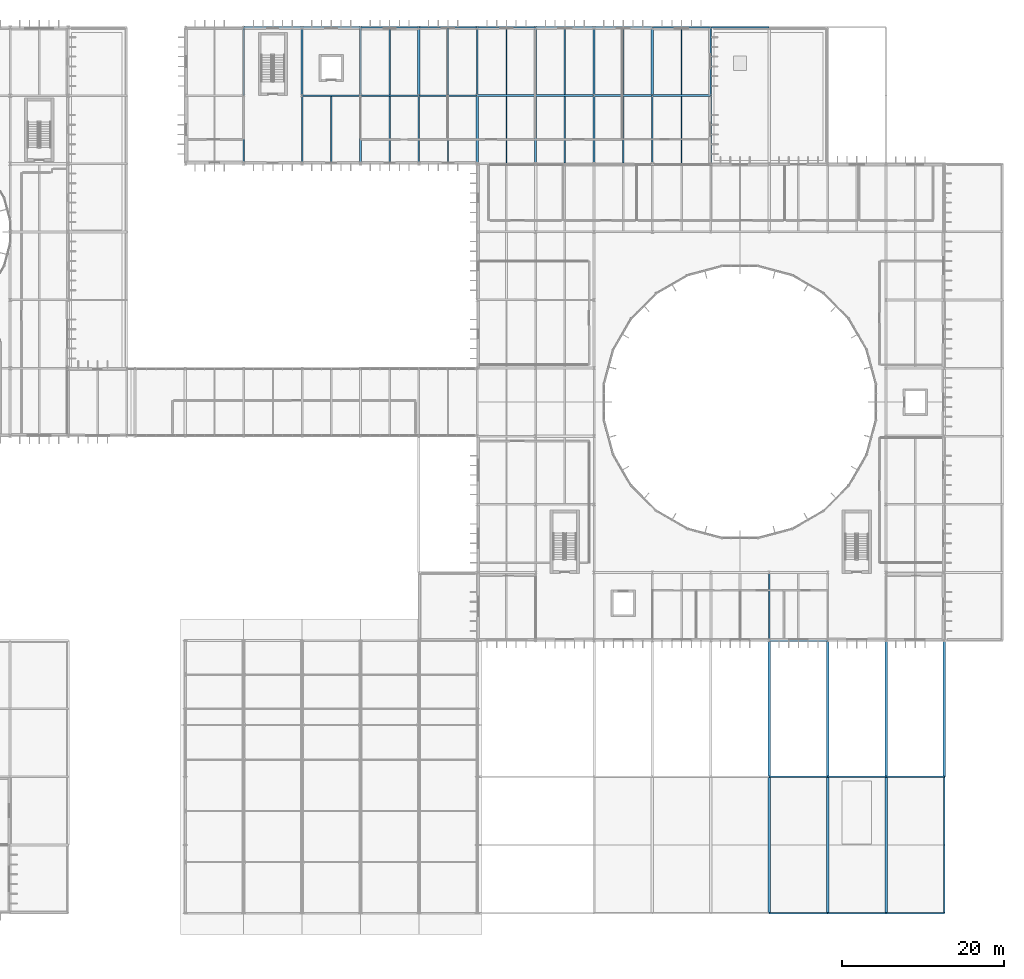
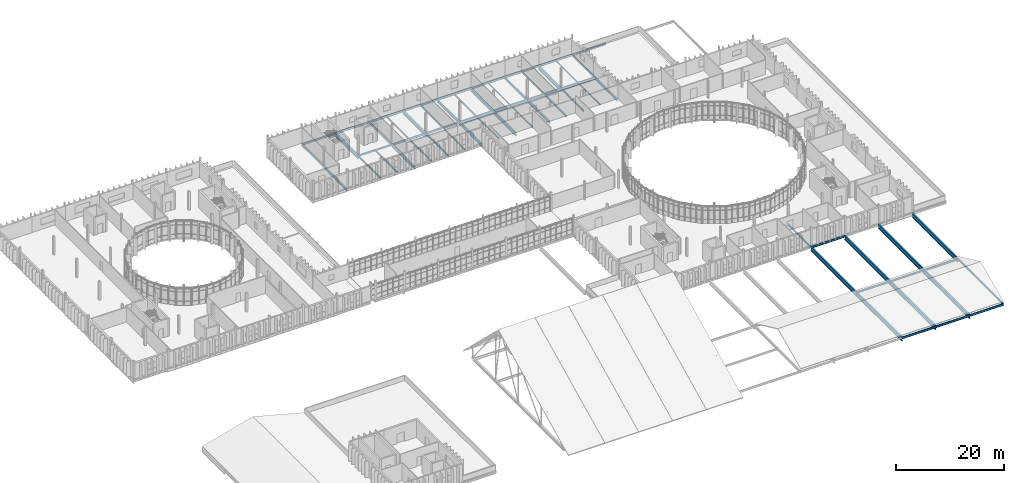
# One storey, part 51 of 99: 64 beams.
"""IFC4 building model written with IfcOpenShell, lengths in metres."""

from ifc_helpers import new_model, si_unit, direction, frame, origin, origin_2d, place, context, subcontext, project, spatial, i_section, extrude, material, material_profile, profile_set, type_object, element, save


model = new_model("IFC4")

# Units and contexts
model_context = context("Model", 3, precision=1e-05, world=origin(), true_north=direction((0.0, 1.0)))
body_context = subcontext(model_context, "Body", "Model", "MODEL_VIEW")
ifc_project = project(units=[si_unit("LENGTHUNIT", "METRE"), si_unit("AREAUNIT", "SQUARE_METRE"), si_unit("VOLUMEUNIT", "CUBIC_METRE"), si_unit("PLANEANGLEUNIT", "RADIAN"), si_unit("MASSUNIT", "GRAM", prefix="KILO")], contexts=[model_context])

# Site, building, storey
site_placement = place(None, origin())
site = spatial("IfcSite", under=ifc_project, at=site_placement, CompositionType="ELEMENT")
building_placement = place(site_placement, origin())
building = spatial("IfcBuilding", under=site, at=building_placement, Name="Qelthora Terrace Specialist Clinic", CompositionType="ELEMENT")
storey_placement = place(building_placement, frame((0.0, 0.0, 9.0)))
storey = spatial("IfcBuildingStorey", under=building, at=storey_placement, Name="L02", CompositionType="ELEMENT", Elevation=9.0)

# Beams
ifc_material = material(Name="Steel S355", Category="steel")
ifc_material_profile_1 = material_profile(ifc_material, i_section(OverallWidth=0.178955078125, OverallDepth=0.409912109375, WebThickness=0.0087890625, FlangeThickness=0.014404296875, FilletRadius=0.011962890625, at=origin_2d()), Name="W410X67")
ifc_profile_set_1 = profile_set([ifc_material_profile_1], Name="Steel S355")
beam_type_1 = type_object("IfcBeamType", Name="BM-W410X67", PredefinedType="BEAM", material=ifc_profile_set_1)
for number, where, z_axis, x_axis, name in (
    (1, (136.800048828125, 16.800048828125, -0.455078125), (1.0, 0.0, 0.0), (0.0, 1.0, 0.0), "Girder BMX-L02-0586"),
    (2, (72.0, 100.800048828125, -0.455078125), (1.0, 0.0, 0.0), (0.0, 1.0, 0.0), "Girder BMX-L02-0712"),
):
    element("IfcBeam", number, at=place(storey_placement, frame(where, z_axis=z_axis, x_axis=x_axis)), inside=storey, type_object=beam_type_1, Name=name, PredefinedType="BEAM", context=body_context, shape_type="SweptSolid", body=[
        extrude(i_section(OverallWidth=0.178955078125, OverallDepth=0.409912109375, WebThickness=0.0087890625, FlangeThickness=0.014404296875, FilletRadius=0.011962890625, at=origin_2d()), origin(), (0.0, 0.0, 1.0), 7.199951171875),
    ])
beam_1_placement = place(storey_placement, frame((86.39990234375, 100.800048828125, -0.455078125), z_axis=(1.0, 0.0, 0.0), x_axis=(0.0, 1.0, 0.0)))
element("IfcBeam", 3, at=beam_1_placement, inside=storey, type_object=beam_type_1, Name="Girder BMX-L02-0714", PredefinedType="BEAM", context=body_context, shape_type="SweptSolid", body=[
    extrude(i_section(OverallWidth=0.178955078125, OverallDepth=0.409912109375, WebThickness=0.0087890625, FlangeThickness=0.014404296875, FilletRadius=0.011962890625, at=origin_2d()), origin(), (0.0, 0.0, 1.0), 7.2001953125),
])
for number, where, z_axis, x_axis, name in (
    (4, (72.0, 92.39990234375, -0.455078125), (0.0, 1.0, 0.0), (-1.0, 0.0, 0.0), "Girder BMY-L02-0820"),
    (5, (86.39990234375, 92.39990234375, -0.455078125), (0.0, 1.0, 0.0), (-1.0, 0.0, 0.0), "Girder BMY-L02-0830"),
    (6, (115.199951171875, 92.39990234375, -0.455078125), (0.0, 1.0, 0.0), (-1.0, 0.0, 0.0), "Girder BMY-L02-0870"),
):
    element("IfcBeam", number, at=place(storey_placement, frame(where, z_axis=z_axis, x_axis=x_axis)), inside=storey, type_object=beam_type_1, Name=name, PredefinedType="BEAM", context=body_context, shape_type="SweptSolid", body=[
        extrude(i_section(OverallWidth=0.178955078125, OverallDepth=0.409912109375, WebThickness=0.0087890625, FlangeThickness=0.014404296875, FilletRadius=0.011962890625, at=origin_2d()), origin(), (0.0, 0.0, 1.0), 8.400146484375),
    ])
beam_2_placement = place(storey_placement, frame((129.60009765625, 33.60009765625, -0.455078125), z_axis=(0.0, 1.0, 0.0), x_axis=(-1.0, 0.0, 0.0)))
element("IfcBeam", 7, at=beam_2_placement, inside=storey, type_object=beam_type_1, Name="Girder BMY-L02-0880", PredefinedType="BEAM", context=body_context, shape_type="SweptSolid", body=[
    extrude(i_section(OverallWidth=0.178955078125, OverallDepth=0.409912109375, WebThickness=0.0087890625, FlangeThickness=0.014404296875, FilletRadius=0.011962890625, at=origin_2d()), origin(), (0.0, 0.0, 1.0), 8.39990234375),
])
beam_3_placement = place(storey_placement, frame((151.199951171875, 8.39990234375, -0.455078125), z_axis=(0.0, 1.0, 0.0), x_axis=(-1.0, 0.0, 0.0)))
element("IfcBeam", 8, at=beam_3_placement, inside=storey, type_object=beam_type_1, Name="Girder BMY-L02-0900", PredefinedType="BEAM", context=body_context, shape_type="SweptSolid", body=[
    extrude(i_section(OverallWidth=0.178955078125, OverallDepth=0.409912109375, WebThickness=0.0087890625, FlangeThickness=0.014404296875, FilletRadius=0.011962890625, at=origin_2d()), origin(), (0.0, 0.0, 1.0), 8.400146484375),
])
ifc_material_profile_2 = material_profile(ifc_material, i_section(OverallWidth=0.179931640625, OverallDepth=0.4130859375, WebThickness=0.009765625, FlangeThickness=0.01611328125, FilletRadius=0.011962890625, at=origin_2d()), Name="W410X75")
ifc_profile_set_2 = profile_set([ifc_material_profile_2], Name="Steel S355")
beam_type_2 = type_object("IfcBeamType", Name="BM-W410X75", PredefinedType="BEAM", material=ifc_profile_set_2)
beam_4_placement = place(storey_placement, frame((129.60009765625, 16.800048828125, -0.45654296875), z_axis=(1.0, 0.0, 0.0), x_axis=(0.0, 1.0, 0.0)))
element("IfcBeam", 9, at=beam_4_placement, inside=storey, type_object=beam_type_2, Name="Girder BMX-L02-0585", PredefinedType="BEAM", context=body_context, shape_type="SweptSolid", body=[
    extrude(i_section(OverallWidth=0.179931640625, OverallDepth=0.4130859375, WebThickness=0.009765625, FlangeThickness=0.01611328125, FilletRadius=0.011962890625, at=origin_2d()), origin(), (0.0, 0.0, 1.0), 7.199951171875),
])
beam_5_placement = place(storey_placement, frame((151.199951171875, 0.0, -0.45654296875), z_axis=(0.0, 1.0, 0.0), x_axis=(-1.0, 0.0, 0.0)))
element("IfcBeam", 10, at=beam_5_placement, inside=storey, type_object=beam_type_2, Name="Girder BMY-L02-0899", PredefinedType="BEAM", context=body_context, shape_type="SweptSolid", body=[
    extrude(i_section(OverallWidth=0.179931640625, OverallDepth=0.4130859375, WebThickness=0.009765625, FlangeThickness=0.01611328125, FilletRadius=0.011962890625, at=origin_2d()), origin(), (0.0, 0.0, 1.0), 8.39990234375),
])
ifc_material_profile_3 = material_profile(ifc_material, i_section(OverallWidth=0.19091796875, OverallDepth=0.4599609375, WebThickness=0.010009765625, FlangeThickness=0.01611328125, FilletRadius=0.012939453125, at=origin_2d()), Name="W460X82")
ifc_profile_set_3 = profile_set([ifc_material_profile_3], Name="Steel S355")
beam_type_3 = type_object("IfcBeamType", Name="BM-W460X82", PredefinedType="BEAM", material=ifc_profile_set_3)
for number, where, z_axis, x_axis, name in (
    (11, (144.0, 16.800048828125, -0.47998046875), (1.0, 0.0, 0.0), (0.0, 1.0, 0.0), "Girder BMX-L02-0587"),
    (12, (129.60009765625, 33.60009765625, -0.47998046875), (1.0, 0.0, 0.0), (0.0, 1.0, 0.0), "Girder BMX-L02-0615"),
    (13, (79.199951171875, 100.800048828125, -0.47998046875), (1.0, 0.0, 0.0), (0.0, 1.0, 0.0), "Girder BMX-L02-0713"),
):
    element("IfcBeam", number, at=place(storey_placement, frame(where, z_axis=z_axis, x_axis=x_axis)), inside=storey, type_object=beam_type_3, Name=name, PredefinedType="BEAM", context=body_context, shape_type="SweptSolid", body=[
        extrude(i_section(OverallWidth=0.19091796875, OverallDepth=0.4599609375, WebThickness=0.010009765625, FlangeThickness=0.01611328125, FilletRadius=0.012939453125, at=origin_2d()), origin(), (0.0, 0.0, 1.0), 7.199951171875),
    ])
ifc_material_profile_4 = material_profile(ifc_material, i_section(OverallWidth=0.193115234375, OverallDepth=0.466064453125, WebThickness=0.011474609375, FlangeThickness=0.01904296875, FilletRadius=0.012939453125, at=origin_2d()), Name="W460X97")
ifc_profile_set_4 = profile_set([ifc_material_profile_4], Name="Steel S355")
beam_type_4 = type_object("IfcBeamType", Name="BM-W460X97", PredefinedType="BEAM", material=ifc_profile_set_4)
for number, where, z_axis, x_axis, name in (
    (14, (64.800048828125, 100.800048828125, -0.48291015625), (0.0, 1.0, 0.0), (-1.0, 0.0, 0.0), "Girder BMY-L02-0817"),
    (15, (122.39990234375, 100.800048828125, -0.48291015625), (0.0, 1.0, 0.0), (-1.0, 0.0, 0.0), "Girder BMY-L02-0877"),
):
    element("IfcBeam", number, at=place(storey_placement, frame(where, z_axis=z_axis, x_axis=x_axis)), inside=storey, type_object=beam_type_4, Name=name, PredefinedType="BEAM", context=body_context, shape_type="SweptSolid", body=[
        extrude(i_section(OverallWidth=0.193115234375, OverallDepth=0.466064453125, WebThickness=0.011474609375, FlangeThickness=0.01904296875, FilletRadius=0.012939453125, at=origin_2d()), origin(), (0.0, 0.0, 1.0), 8.39990234375),
    ])
ifc_material_profile_5 = material_profile(ifc_material, i_section(OverallWidth=0.2099609375, OverallDepth=0.537109375, WebThickness=0.010986328125, FlangeThickness=0.017333984375, FilletRadius=0.013916015625, at=origin_2d()), Name="W530X101")
ifc_profile_set_5 = profile_set([ifc_material_profile_5], Name="Steel S355")
beam_type_5 = type_object("IfcBeamType", Name="BM-W530X101", PredefinedType="BEAM", material=ifc_profile_set_5)
for number, where, z_axis, x_axis, name in (
    (16, (64.800048828125, 92.39990234375, -0.5185546875), (0.0, 1.0, 0.0), (-1.0, 0.0, 0.0), "Girder BMY-L02-0816"),
    (17, (122.39990234375, 92.39990234375, -0.5185546875), (0.0, 1.0, 0.0), (-1.0, 0.0, 0.0), "Girder BMY-L02-0876"),
):
    element("IfcBeam", number, at=place(storey_placement, frame(where, z_axis=z_axis, x_axis=x_axis)), inside=storey, type_object=beam_type_5, Name=name, PredefinedType="BEAM", context=body_context, shape_type="SweptSolid", body=[
        extrude(i_section(OverallWidth=0.2099609375, OverallDepth=0.537109375, WebThickness=0.010986328125, FlangeThickness=0.017333984375, FilletRadius=0.013916015625, at=origin_2d()), origin(), (0.0, 0.0, 1.0), 8.400146484375),
    ])
ifc_material_profile_6 = material_profile(ifc_material, i_section(OverallWidth=0.2119140625, OverallDepth=0.5439453125, WebThickness=0.01318359375, FlangeThickness=0.021240234375, FilletRadius=0.013916015625, at=origin_2d()), Name="W530X123")
ifc_profile_set_6 = profile_set([ifc_material_profile_6], Name="Steel S355")
beam_type_6 = type_object("IfcBeamType", Name="BM-W530X123", PredefinedType="BEAM", material=ifc_profile_set_6)
for number, where, z_axis, x_axis, name in (
    (18, (79.199951171875, 100.800048828125, -0.52197265625), (0.0, 1.0, 0.0), (-1.0, 0.0, 0.0), "Girder BMY-L02-0825"),
    (19, (108.0, 100.800048828125, -0.52197265625), (0.0, 1.0, 0.0), (-1.0, 0.0, 0.0), "Girder BMY-L02-0865"),
):
    element("IfcBeam", number, at=place(storey_placement, frame(where, z_axis=z_axis, x_axis=x_axis)), inside=storey, type_object=beam_type_6, Name=name, PredefinedType="BEAM", context=body_context, shape_type="SweptSolid", body=[
        extrude(i_section(OverallWidth=0.2119140625, OverallDepth=0.5439453125, WebThickness=0.01318359375, FlangeThickness=0.021240234375, FilletRadius=0.013916015625, at=origin_2d()), origin(), (0.0, 0.0, 1.0), 8.39990234375),
    ])
ifc_material_profile_7 = material_profile(ifc_material, i_section(OverallWidth=0.22900390625, OverallDepth=0.612060546875, WebThickness=0.011962890625, FlangeThickness=0.01953125, FilletRadius=0.01611328125, at=origin_2d()), Name="W610X125")
ifc_profile_set_7 = profile_set([ifc_material_profile_7], Name="Steel S355")
beam_type_7 = type_object("IfcBeamType", Name="BM-W610X125", PredefinedType="BEAM", material=ifc_profile_set_7)
beam_6_placement = place(storey_placement, frame((115.199951171875, 100.800048828125, -0.555908203125), z_axis=(1.0, 0.0, 0.0), x_axis=(0.0, 1.0, 0.0)))
element("IfcBeam", 20, at=beam_6_placement, inside=storey, type_object=beam_type_7, Name="Girder BMX-L02-0718", PredefinedType="BEAM", context=body_context, shape_type="SweptSolid", body=[
    extrude(i_section(OverallWidth=0.22900390625, OverallDepth=0.612060546875, WebThickness=0.011962890625, FlangeThickness=0.01953125, FilletRadius=0.01611328125, at=origin_2d()), origin(), (0.0, 0.0, 1.0), 7.199951171875),
])
ifc_material_profile_8 = material_profile(ifc_material, i_section(OverallWidth=0.22998046875, OverallDepth=0.616943359375, WebThickness=0.01318359375, FlangeThickness=0.022216796875, FilletRadius=0.01611328125, at=origin_2d()), Name="W610X140")
ifc_profile_set_8 = profile_set([ifc_material_profile_8], Name="Steel S355")
beam_type_8 = type_object("IfcBeamType", Name="BM-W610X140", PredefinedType="BEAM", material=ifc_profile_set_8)
beam_7_placement = place(storey_placement, frame((108.0, 100.800048828125, -0.55859375), z_axis=(1.0, 0.0, 0.0), x_axis=(0.0, 1.0, 0.0)))
element("IfcBeam", 21, at=beam_7_placement, inside=storey, type_object=beam_type_8, Name="Girder BMX-L02-0717", PredefinedType="BEAM", context=body_context, shape_type="SweptSolid", body=[
    extrude(i_section(OverallWidth=0.22998046875, OverallDepth=0.616943359375, WebThickness=0.01318359375, FlangeThickness=0.022216796875, FilletRadius=0.01611328125, at=origin_2d()), origin(), (0.0, 0.0, 1.0), 7.199951171875),
])
beam_8_placement = place(storey_placement, frame((79.199951171875, 92.39990234375, -0.55859375), z_axis=(0.0, 1.0, 0.0), x_axis=(-1.0, 0.0, 0.0)))
element("IfcBeam", 22, at=beam_8_placement, inside=storey, type_object=beam_type_8, Name="Girder BMY-L02-0824", PredefinedType="BEAM", context=body_context, shape_type="SweptSolid", body=[
    extrude(i_section(OverallWidth=0.22998046875, OverallDepth=0.616943359375, WebThickness=0.01318359375, FlangeThickness=0.022216796875, FilletRadius=0.01611328125, at=origin_2d()), origin(), (0.0, 0.0, 1.0), 8.400146484375),
])
beam_9_placement = place(storey_placement, frame((93.60009765625, 100.800048828125, -0.55859375), z_axis=(0.0, 1.0, 0.0), x_axis=(-1.0, 0.0, 0.0)))
element("IfcBeam", 23, at=beam_9_placement, inside=storey, type_object=beam_type_8, Name="Girder BMY-L02-0844", PredefinedType="BEAM", context=body_context, shape_type="SweptSolid", body=[
    extrude(i_section(OverallWidth=0.22998046875, OverallDepth=0.616943359375, WebThickness=0.01318359375, FlangeThickness=0.022216796875, FilletRadius=0.01611328125, at=origin_2d()), origin(), (0.0, 0.0, 1.0), 8.39990234375),
])
beam_10_placement = place(storey_placement, frame((108.0, 92.39990234375, -0.55859375), z_axis=(0.0, 1.0, 0.0), x_axis=(-1.0, 0.0, 0.0)))
element("IfcBeam", 24, at=beam_10_placement, inside=storey, type_object=beam_type_8, Name="Girder BMY-L02-0864", PredefinedType="BEAM", context=body_context, shape_type="SweptSolid", body=[
    extrude(i_section(OverallWidth=0.22998046875, OverallDepth=0.616943359375, WebThickness=0.01318359375, FlangeThickness=0.022216796875, FilletRadius=0.01611328125, at=origin_2d()), origin(), (0.0, 0.0, 1.0), 8.400146484375),
])
ifc_material_profile_9 = material_profile(ifc_material, i_section(OverallWidth=0.25390625, OverallDepth=0.68798828125, WebThickness=0.01318359375, FlangeThickness=0.02099609375, FilletRadius=0.01806640625, at=origin_2d()), Name="W690X152")
ifc_profile_set_9 = profile_set([ifc_material_profile_9], Name="Steel S355")
beam_type_9 = type_object("IfcBeamType", Name="BM-W690X152", PredefinedType="BEAM", material=ifc_profile_set_9)
beam_11_placement = place(storey_placement, frame((100.800048828125, 100.800048828125, -0.593994140625), z_axis=(1.0, 0.0, 0.0), x_axis=(0.0, 1.0, 0.0)))
element("IfcBeam", 25, at=beam_11_placement, inside=storey, type_object=beam_type_9, Name="Girder BMX-L02-0716", PredefinedType="BEAM", context=body_context, shape_type="SweptSolid", body=[
    extrude(i_section(OverallWidth=0.25390625, OverallDepth=0.68798828125, WebThickness=0.01318359375, FlangeThickness=0.02099609375, FilletRadius=0.01806640625, at=origin_2d()), origin(), (0.0, 0.0, 1.0), 7.199951171875),
])
ifc_material_profile_10 = material_profile(ifc_material, i_section(OverallWidth=0.256103515625, OverallDepth=0.693115234375, WebThickness=0.014404296875, FlangeThickness=0.023681640625, FilletRadius=0.01806640625, at=origin_2d()), Name="W690X170")
ifc_profile_set_10 = profile_set([ifc_material_profile_10], Name="Steel S355")
beam_type_10 = type_object("IfcBeamType", Name="BM-W690X170", PredefinedType="BEAM", material=ifc_profile_set_10)
beam_12_placement = place(storey_placement, frame((93.60009765625, 100.800048828125, -0.596435546875), z_axis=(1.0, 0.0, 0.0), x_axis=(0.0, 1.0, 0.0)))
element("IfcBeam", 26, at=beam_12_placement, inside=storey, type_object=beam_type_10, Name="Girder BMX-L02-0715", PredefinedType="BEAM", context=body_context, shape_type="SweptSolid", body=[
    extrude(i_section(OverallWidth=0.256103515625, OverallDepth=0.693115234375, WebThickness=0.014404296875, FlangeThickness=0.023681640625, FilletRadius=0.01806640625, at=origin_2d()), origin(), (0.0, 0.0, 1.0), 7.199951171875),
])
beam_13_placement = place(storey_placement, frame((93.60009765625, 92.39990234375, -0.596435546875), z_axis=(0.0, 1.0, 0.0), x_axis=(-1.0, 0.0, 0.0)))
element("IfcBeam", 27, at=beam_13_placement, inside=storey, type_object=beam_type_10, Name="Girder BMY-L02-0843", PredefinedType="BEAM", context=body_context, shape_type="SweptSolid", body=[
    extrude(i_section(OverallWidth=0.256103515625, OverallDepth=0.693115234375, WebThickness=0.014404296875, FlangeThickness=0.023681640625, FilletRadius=0.01806640625, at=origin_2d()), origin(), (0.0, 0.0, 1.0), 8.400146484375),
])
beam_14_placement = place(storey_placement, frame((100.800048828125, 100.800048828125, -0.596435546875), z_axis=(0.0, 1.0, 0.0), x_axis=(-1.0, 0.0, 0.0)))
element("IfcBeam", 28, at=beam_14_placement, inside=storey, type_object=beam_type_10, Name="Girder BMY-L02-0853", PredefinedType="BEAM", context=body_context, shape_type="SweptSolid", body=[
    extrude(i_section(OverallWidth=0.256103515625, OverallDepth=0.693115234375, WebThickness=0.014404296875, FlangeThickness=0.023681640625, FilletRadius=0.01806640625, at=origin_2d()), origin(), (0.0, 0.0, 1.0), 8.39990234375),
])
ifc_material_profile_11 = material_profile(ifc_material, i_section(OverallWidth=0.26806640625, OverallDepth=0.77001953125, WebThickness=0.015625, FlangeThickness=0.025390625, FilletRadius=0.01904296875, at=origin_2d()), Name="W760X196")
ifc_profile_set_11 = profile_set([ifc_material_profile_11], Name="Steel S355")
beam_type_11 = type_object("IfcBeamType", Name="BM-W760X196", PredefinedType="BEAM", material=ifc_profile_set_11)
beam_15_placement = place(storey_placement, frame((100.800048828125, 92.39990234375, -0.635009765625), z_axis=(0.0, 1.0, 0.0), x_axis=(-1.0, 0.0, 0.0)))
element("IfcBeam", 29, at=beam_15_placement, inside=storey, type_object=beam_type_11, Name="Girder BMY-L02-0852", PredefinedType="BEAM", context=body_context, shape_type="SweptSolid", body=[
    extrude(i_section(OverallWidth=0.26806640625, OverallDepth=0.77001953125, WebThickness=0.015625, FlangeThickness=0.025390625, FilletRadius=0.01904296875, at=origin_2d()), origin(), (0.0, 0.0, 1.0), 8.400146484375),
])
ifc_material_profile_12 = material_profile(ifc_material, i_section(OverallWidth=0.2939453125, OverallDepth=0.85107421875, WebThickness=0.01611328125, FlangeThickness=0.02685546875, FilletRadius=0.02001953125, at=origin_2d()), Name="W840X226")
ifc_profile_set_12 = profile_set([ifc_material_profile_12], Name="Steel S355")
beam_type_12 = type_object("IfcBeamType", Name="BM-W840X226", PredefinedType="BEAM", material=ifc_profile_set_12)
for number, where, z_axis, x_axis, name in (
    (30, (72.0, 100.800048828125, -0.675537109375), (0.0, 1.0, 0.0), (-1.0, 0.0, 0.0), "Girder BMY-L02-0821"),
    (31, (86.39990234375, 100.800048828125, -0.675537109375), (0.0, 1.0, 0.0), (-1.0, 0.0, 0.0), "Girder BMY-L02-0831"),
    (32, (115.199951171875, 100.800048828125, -0.675537109375), (0.0, 1.0, 0.0), (-1.0, 0.0, 0.0), "Girder BMY-L02-0871"),
):
    element("IfcBeam", number, at=place(storey_placement, frame(where, z_axis=z_axis, x_axis=x_axis)), inside=storey, type_object=beam_type_12, Name=name, PredefinedType="BEAM", context=body_context, shape_type="SweptSolid", body=[
        extrude(i_section(OverallWidth=0.2939453125, OverallDepth=0.85107421875, WebThickness=0.01611328125, FlangeThickness=0.02685546875, FilletRadius=0.02001953125, at=origin_2d()), origin(), (0.0, 0.0, 1.0), 8.39990234375),
    ])
ifc_material_profile_13 = material_profile(ifc_material, i_section(OverallWidth=0.30810546875, OverallDepth=0.927001953125, WebThickness=0.019287109375, FlangeThickness=0.031982421875, FilletRadius=0.02197265625, at=origin_2d()), Name="W920X289")
ifc_profile_set_13 = profile_set([ifc_material_profile_13], Name="Steel S355")
beam_type_13 = type_object("IfcBeamType", Name="BM-W920X289", PredefinedType="BEAM", material=ifc_profile_set_13)
for number, where, z_axis, x_axis, name in (
    (33, (129.60009765625, 0.0, -0.71337890625), (0.0, 1.0, 0.0), (-1.0, 0.0, 0.0), "Girder BMY-L02-0878"),
    (34, (129.60009765625, 16.800048828125, -0.71337890625), (0.0, 1.0, 0.0), (-1.0, 0.0, 0.0), "Girder BMY-L02-0879"),
    (35, (136.800048828125, 0.0, -0.71337890625), (0.0, 1.0, 0.0), (-1.0, 0.0, 0.0), "Girder BMY-L02-0883"),
    (36, (136.800048828125, 16.800048828125, -0.71337890625), (0.0, 1.0, 0.0), (-1.0, 0.0, 0.0), "Girder BMY-L02-0884"),
    (37, (144.0, 0.0, -0.71337890625), (0.0, 1.0, 0.0), (-1.0, 0.0, 0.0), "Girder BMY-L02-0888"),
    (38, (144.0, 16.800048828125, -0.71337890625), (0.0, 1.0, 0.0), (-1.0, 0.0, 0.0), "Girder BMY-L02-0889"),
    (39, (151.199951171875, 16.800048828125, -0.71337890625), (0.0, 1.0, 0.0), (-1.0, 0.0, 0.0), "Girder BMY-L02-0901"),
):
    element("IfcBeam", number, at=place(storey_placement, frame(where, z_axis=z_axis, x_axis=x_axis)), inside=storey, type_object=beam_type_13, Name=name, PredefinedType="BEAM", context=body_context, shape_type="SweptSolid", body=[
        extrude(i_section(OverallWidth=0.30810546875, OverallDepth=0.927001953125, WebThickness=0.019287109375, FlangeThickness=0.031982421875, FilletRadius=0.02197265625, at=origin_2d()), origin(), (0.0, 0.0, 1.0), 16.800048828125),
    ])
ifc_material_profile_14 = material_profile(ifc_material, i_section(OverallWidth=0.14599609375, OverallDepth=0.258056640625, WebThickness=0.006103515625, FlangeThickness=0.009033203125, FilletRadius=0.009033203125, at=origin_2d()), Name="W250X33")
ifc_profile_set_14 = profile_set([ifc_material_profile_14], Name="Steel S355")
beam_type_14 = type_object("IfcBeamType", Name="JST-W250X33", PredefinedType="JOIST", material=ifc_profile_set_14)
beam_16_placement = place(storey_placement, frame((90.0, 92.49560546875, -0.37890625), z_axis=(0.0, 1.0, 0.0), x_axis=(-1.0, 0.0, 0.0)))
element("IfcBeam", 40, at=beam_16_placement, inside=storey, type_object=beam_type_14, Name="Composite floor joist JST-L02-0180", PredefinedType="JOIST", context=body_context, shape_type="SweptSolid", body=[
    extrude(i_section(OverallWidth=0.14599609375, OverallDepth=0.258056640625, WebThickness=0.006103515625, FlangeThickness=0.009033203125, FilletRadius=0.009033203125, at=origin_2d()), origin(), (0.0, 0.0, 1.0), 8.21484375),
])
beam_17_placement = place(storey_placement, frame((118.800048828125, 100.91455078125, -0.37890625), z_axis=(0.0, 1.0, 0.0), x_axis=(-1.0, 0.0, 0.0)))
element("IfcBeam", 41, at=beam_17_placement, inside=storey, type_object=beam_type_14, Name="Composite floor joist JST-L02-0204", PredefinedType="JOIST", context=body_context, shape_type="SweptSolid", body=[
    extrude(i_section(OverallWidth=0.14599609375, OverallDepth=0.258056640625, WebThickness=0.006103515625, FlangeThickness=0.009033203125, FilletRadius=0.009033203125, at=origin_2d()), origin(), (0.0, 0.0, 1.0), 8.18994140625),
])
ifc_material_profile_15 = material_profile(ifc_material, i_section(OverallWidth=0.14697265625, OverallDepth=0.261962890625, WebThickness=0.006591796875, FlangeThickness=0.01123046875, FilletRadius=0.009033203125, at=origin_2d()), Name="W250X39")
ifc_profile_set_15 = profile_set([ifc_material_profile_15], Name="Steel S355")
beam_type_15 = type_object("IfcBeamType", Name="JST-W250X39", PredefinedType="JOIST", material=ifc_profile_set_15)
beam_18_placement = place(storey_placement, frame((104.39990234375, 100.927001953125, -0.381103515625), z_axis=(0.0, 1.0, 0.0), x_axis=(-1.0, 0.0, 0.0)))
element("IfcBeam", 42, at=beam_18_placement, inside=storey, type_object=beam_type_15, Name="Composite floor joist JST-L02-0197", PredefinedType="JOIST", context=body_context, shape_type="SweptSolid", body=[
    extrude(i_section(OverallWidth=0.14697265625, OverallDepth=0.261962890625, WebThickness=0.006591796875, FlangeThickness=0.01123046875, FilletRadius=0.009033203125, at=origin_2d()), origin(), (0.0, 0.0, 1.0), 8.177490234375),
])
beam_19_placement = place(storey_placement, frame((118.800048828125, 92.489501953125, -0.381103515625), z_axis=(0.0, 1.0, 0.0), x_axis=(-1.0, 0.0, 0.0)))
element("IfcBeam", 43, at=beam_19_placement, inside=storey, type_object=beam_type_15, Name="Composite floor joist JST-L02-0203", PredefinedType="JOIST", context=body_context, shape_type="SweptSolid", body=[
    extrude(i_section(OverallWidth=0.14697265625, OverallDepth=0.261962890625, WebThickness=0.006591796875, FlangeThickness=0.01123046875, FilletRadius=0.009033203125, at=origin_2d()), origin(), (0.0, 0.0, 1.0), 8.196044921875),
])
ifc_material_profile_16 = material_profile(ifc_material, i_section(OverallWidth=0.166015625, OverallDepth=0.31298828125, WebThickness=0.006591796875, FlangeThickness=0.01123046875, FilletRadius=0.010009765625, at=origin_2d()), Name="W310X45")
ifc_profile_set_16 = profile_set([ifc_material_profile_16], Name="Steel S355")
beam_type_16 = type_object("IfcBeamType", Name="JST-W310X45", PredefinedType="JOIST", material=ifc_profile_set_16)
beam_20_placement = place(storey_placement, frame((82.800048828125, 100.8955078125, -0.406494140625), z_axis=(0.0, 1.0, 0.0), x_axis=(-1.0, 0.0, 0.0)))
element("IfcBeam", 44, at=beam_20_placement, inside=storey, type_object=beam_type_16, Name="Composite floor joist JST-L02-0178", PredefinedType="JOIST", context=body_context, shape_type="SweptSolid", body=[
    extrude(i_section(OverallWidth=0.166015625, OverallDepth=0.31298828125, WebThickness=0.006591796875, FlangeThickness=0.01123046875, FilletRadius=0.010009765625, at=origin_2d()), origin(), (0.0, 0.0, 1.0), 8.208984375),
])
beam_21_placement = place(storey_placement, frame((97.199951171875, 100.927978515625, -0.406494140625), z_axis=(0.0, 1.0, 0.0), x_axis=(-1.0, 0.0, 0.0)))
element("IfcBeam", 45, at=beam_21_placement, inside=storey, type_object=beam_type_16, Name="Composite floor joist JST-L02-0190", PredefinedType="JOIST", context=body_context, shape_type="SweptSolid", body=[
    extrude(i_section(OverallWidth=0.166015625, OverallDepth=0.31298828125, WebThickness=0.006591796875, FlangeThickness=0.01123046875, FilletRadius=0.010009765625, at=origin_2d()), origin(), (0.0, 0.0, 1.0), 8.176513671875),
])
beam_22_placement = place(storey_placement, frame((104.39990234375, 92.489501953125, -0.406494140625), z_axis=(0.0, 1.0, 0.0), x_axis=(-1.0, 0.0, 0.0)))
element("IfcBeam", 46, at=beam_22_placement, inside=storey, type_object=beam_type_16, Name="Composite floor joist JST-L02-0196", PredefinedType="JOIST", context=body_context, shape_type="SweptSolid", body=[
    extrude(i_section(OverallWidth=0.166015625, OverallDepth=0.31298828125, WebThickness=0.006591796875, FlangeThickness=0.01123046875, FilletRadius=0.010009765625, at=origin_2d()), origin(), (0.0, 0.0, 1.0), 8.18359375),
])
ifc_material_profile_17 = material_profile(ifc_material, i_section(OverallWidth=0.1669921875, OverallDepth=0.31689453125, WebThickness=0.007568359375, FlangeThickness=0.01318359375, FilletRadius=0.010009765625, at=origin_2d()), Name="W310X52")
ifc_profile_set_17 = profile_set([ifc_material_profile_17], Name="Steel S355")
beam_type_17 = type_object("IfcBeamType", Name="JST-W310X52", PredefinedType="JOIST", material=ifc_profile_set_17)
beam_23_placement = place(storey_placement, frame((82.800048828125, 92.49658203125, -0.408447265625), z_axis=(0.0, 1.0, 0.0), x_axis=(-1.0, 0.0, 0.0)))
element("IfcBeam", 47, at=beam_23_placement, inside=storey, type_object=beam_type_17, Name="Composite floor joist JST-L02-0177", PredefinedType="JOIST", context=body_context, shape_type="SweptSolid", body=[
    extrude(i_section(OverallWidth=0.1669921875, OverallDepth=0.31689453125, WebThickness=0.007568359375, FlangeThickness=0.01318359375, FilletRadius=0.010009765625, at=origin_2d()), origin(), (0.0, 0.0, 1.0), 8.2080078125),
])
beam_24_placement = place(storey_placement, frame((97.199951171875, 92.489990234375, -0.408447265625), z_axis=(0.0, 1.0, 0.0), x_axis=(-1.0, 0.0, 0.0)))
element("IfcBeam", 48, at=beam_24_placement, inside=storey, type_object=beam_type_17, Name="Composite floor joist JST-L02-0189", PredefinedType="JOIST", context=body_context, shape_type="SweptSolid", body=[
    extrude(i_section(OverallWidth=0.1669921875, OverallDepth=0.31689453125, WebThickness=0.007568359375, FlangeThickness=0.01318359375, FilletRadius=0.010009765625, at=origin_2d()), origin(), (0.0, 0.0, 1.0), 8.18212890625),
])
ifc_material_profile_18 = material_profile(ifc_material, i_section(OverallWidth=0.172119140625, OverallDepth=0.35791015625, WebThickness=0.0078125, FlangeThickness=0.01318359375, FilletRadius=0.010986328125, at=origin_2d()), Name="W360X57")
ifc_profile_set_18 = profile_set([ifc_material_profile_18], Name="Steel S355")
beam_type_18 = type_object("IfcBeamType", Name="JST-W360X57", PredefinedType="JOIST", material=ifc_profile_set_18)
beam_25_placement = place(storey_placement, frame((111.60009765625, 100.9150390625, -0.428955078125), z_axis=(0.0, 1.0, 0.0), x_axis=(-1.0, 0.0, 0.0)))
element("IfcBeam", 49, at=beam_25_placement, inside=storey, type_object=beam_type_18, Name="Composite floor joist JST-L02-0200", PredefinedType="JOIST", context=body_context, shape_type="SweptSolid", body=[
    extrude(i_section(OverallWidth=0.172119140625, OverallDepth=0.35791015625, WebThickness=0.0078125, FlangeThickness=0.01318359375, FilletRadius=0.010986328125, at=origin_2d()), origin(), (0.0, 0.0, 1.0), 8.189453125),
])
ifc_material_profile_19 = material_profile(ifc_material, i_section(OverallWidth=0.202880859375, OverallDepth=0.346923828125, WebThickness=0.0078125, FlangeThickness=0.013427734375, FilletRadius=0.010986328125, at=origin_2d()), Name="W360X64")
ifc_profile_set_19 = profile_set([ifc_material_profile_19], Name="Steel S355")
beam_type_19 = type_object("IfcBeamType", Name="JST-W360X64", PredefinedType="JOIST", material=ifc_profile_set_19)
beam_26_placement = place(storey_placement, frame((75.60009765625, 92.5048828125, -0.423583984375), z_axis=(0.0, 1.0, 0.0), x_axis=(-1.0, 0.0, 0.0)))
element("IfcBeam", 50, at=beam_26_placement, inside=storey, type_object=beam_type_19, Name="Composite floor joist JST-L02-0175", PredefinedType="JOIST", context=body_context, shape_type="SweptSolid", body=[
    extrude(i_section(OverallWidth=0.202880859375, OverallDepth=0.346923828125, WebThickness=0.0078125, FlangeThickness=0.013427734375, FilletRadius=0.010986328125, at=origin_2d()), origin(), (0.0, 0.0, 1.0), 8.20556640625),
])
beam_27_placement = place(storey_placement, frame((90.0, 100.889404296875, -0.423583984375), z_axis=(0.0, 1.0, 0.0), x_axis=(-1.0, 0.0, 0.0)))
element("IfcBeam", 51, at=beam_27_placement, inside=storey, type_object=beam_type_19, Name="Composite floor joist JST-L02-0181", PredefinedType="JOIST", context=body_context, shape_type="SweptSolid", body=[
    extrude(i_section(OverallWidth=0.202880859375, OverallDepth=0.346923828125, WebThickness=0.0078125, FlangeThickness=0.013427734375, FilletRadius=0.010986328125, at=origin_2d()), origin(), (0.0, 0.0, 1.0), 8.215087890625),
])
beam_28_placement = place(storey_placement, frame((111.60009765625, 92.489990234375, -0.423583984375), z_axis=(0.0, 1.0, 0.0), x_axis=(-1.0, 0.0, 0.0)))
element("IfcBeam", 52, at=beam_28_placement, inside=storey, type_object=beam_type_19, Name="Composite floor joist JST-L02-0199", PredefinedType="JOIST", context=body_context, shape_type="SweptSolid", body=[
    extrude(i_section(OverallWidth=0.202880859375, OverallDepth=0.346923828125, WebThickness=0.0078125, FlangeThickness=0.013427734375, FilletRadius=0.010986328125, at=origin_2d()), origin(), (0.0, 0.0, 1.0), 8.195068359375),
])
ifc_material_profile_20 = material_profile(ifc_material, i_section(OverallWidth=0.19091796875, OverallDepth=0.4599609375, WebThickness=0.010009765625, FlangeThickness=0.01611328125, FilletRadius=0.012939453125, at=origin_2d()), Name="W460X82")
ifc_profile_set_20 = profile_set([ifc_material_profile_20], Name="Steel S355")
beam_type_20 = type_object("IfcBeamType", Name="SPD-W460X82", PredefinedType="SPANDREL", material=ifc_profile_set_20)
for number, where, z_axis, x_axis, name in (
    (53, (129.60009765625, 0.0, -0.47998046875), (1.0, 0.0, 0.0), (0.0, 1.0, 0.0), "Girder BMX-L02-0565"),
    (54, (136.800048828125, 0.0, -0.47998046875), (1.0, 0.0, 0.0), (0.0, 1.0, 0.0), "Girder BMX-L02-0566"),
    (55, (144.0, 0.0, -0.47998046875), (1.0, 0.0, 0.0), (0.0, 1.0, 0.0), "Girder BMX-L02-0567"),
    (56, (64.800048828125, 109.199951171875, -0.47998046875), (1.0, 0.0, 0.0), (0.0, 1.0, 0.0), "Girder BMX-L02-0727"),
    (57, (72.0, 109.199951171875, -0.47998046875), (1.0, 0.0, 0.0), (0.0, 1.0, 0.0), "Girder BMX-L02-0728"),
    (58, (79.199951171875, 109.199951171875, -0.47998046875), (1.0, 0.0, 0.0), (0.0, 1.0, 0.0), "Girder BMX-L02-0729"),
):
    element("IfcBeam", number, at=place(storey_placement, frame(where, z_axis=z_axis, x_axis=x_axis)), inside=storey, type_object=beam_type_20, Name=name, PredefinedType="SPANDREL", context=body_context, shape_type="SweptSolid", body=[
        extrude(i_section(OverallWidth=0.19091796875, OverallDepth=0.4599609375, WebThickness=0.010009765625, FlangeThickness=0.01611328125, FilletRadius=0.012939453125, at=origin_2d()), origin(), (0.0, 0.0, 1.0), 7.199951171875),
    ])
beam_29_placement = place(storey_placement, frame((86.39990234375, 109.199951171875, -0.47998046875), z_axis=(1.0, 0.0, 0.0), x_axis=(0.0, 1.0, 0.0)))
element("IfcBeam", 59, at=beam_29_placement, inside=storey, type_object=beam_type_20, Name="Girder BMX-L02-0730", PredefinedType="SPANDREL", context=body_context, shape_type="SweptSolid", body=[
    extrude(i_section(OverallWidth=0.19091796875, OverallDepth=0.4599609375, WebThickness=0.010009765625, FlangeThickness=0.01611328125, FilletRadius=0.012939453125, at=origin_2d()), origin(), (0.0, 0.0, 1.0), 7.2001953125),
])
for number, where, z_axis, x_axis, name in (
    (60, (93.60009765625, 109.199951171875, -0.47998046875), (1.0, 0.0, 0.0), (0.0, 1.0, 0.0), "Girder BMX-L02-0731"),
    (61, (100.800048828125, 109.199951171875, -0.47998046875), (1.0, 0.0, 0.0), (0.0, 1.0, 0.0), "Girder BMX-L02-0732"),
    (62, (108.0, 109.199951171875, -0.47998046875), (1.0, 0.0, 0.0), (0.0, 1.0, 0.0), "Girder BMX-L02-0733"),
    (63, (115.199951171875, 109.199951171875, -0.47998046875), (1.0, 0.0, 0.0), (0.0, 1.0, 0.0), "Girder BMX-L02-0734"),
):
    element("IfcBeam", number, at=place(storey_placement, frame(where, z_axis=z_axis, x_axis=x_axis)), inside=storey, type_object=beam_type_20, Name=name, PredefinedType="SPANDREL", context=body_context, shape_type="SweptSolid", body=[
        extrude(i_section(OverallWidth=0.19091796875, OverallDepth=0.4599609375, WebThickness=0.010009765625, FlangeThickness=0.01611328125, FilletRadius=0.012939453125, at=origin_2d()), origin(), (0.0, 0.0, 1.0), 7.199951171875),
    ])
beam_30_placement = place(storey_placement, frame((122.39990234375, 109.199951171875, -0.47998046875), z_axis=(1.0, 0.0, 0.0), x_axis=(0.0, 1.0, 0.0)))
element("IfcBeam", 64, at=beam_30_placement, inside=storey, type_object=beam_type_20, Name="Girder BMX-L02-0735", PredefinedType="SPANDREL", context=body_context, shape_type="SweptSolid", body=[
    extrude(i_section(OverallWidth=0.19091796875, OverallDepth=0.4599609375, WebThickness=0.010009765625, FlangeThickness=0.01611328125, FilletRadius=0.012939453125, at=origin_2d()), origin(), (0.0, 0.0, 1.0), 7.2001953125),
])

save(model, "model.ifc")
